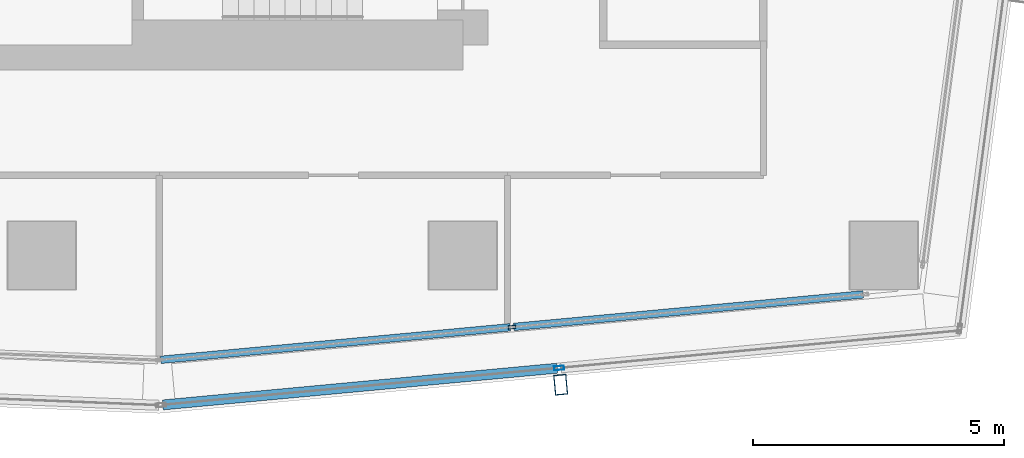
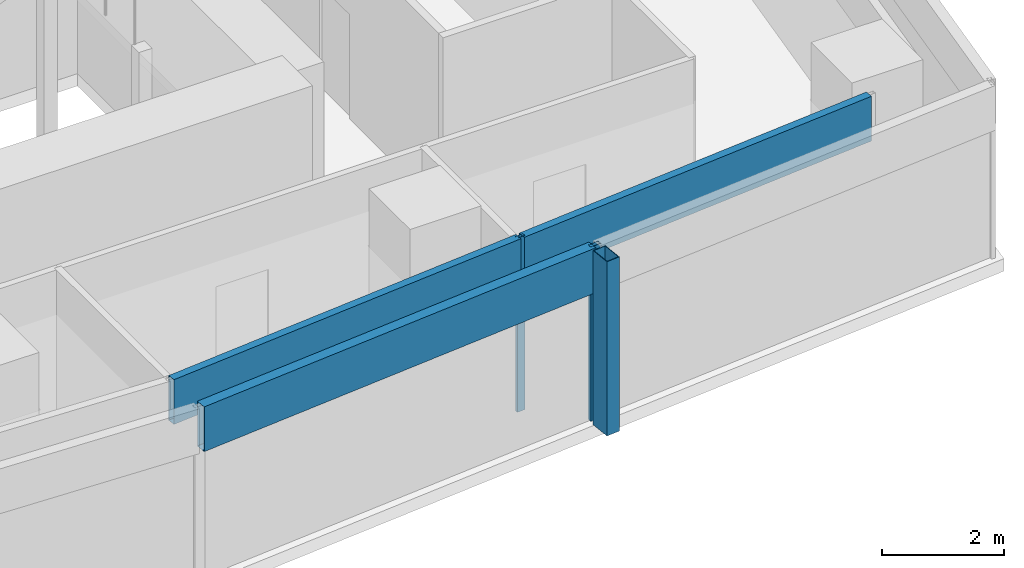
# One storey, part 11 of 38: 6 members, 2 elements without a shape of their own.
"""IFC4 building model written with IfcOpenShell, lengths in metres."""

import ifcopenshell
import ifcopenshell.guid

model = None  # the IFC model being written
_history = None  # IfcOwnerHistory: only IFC2X3 demands one
_inside = {}  # id of a spatial element -> (the spatial element, [elements in it])
_under = {}  # id of a project, library or spatial element -> (it, [spatial elements below it])
_declared = {}  # id of a project -> (the project, [libraries it declares])
_typed = {}  # id of a type object -> (the type object, [elements of that type])
_made_of = {}  # id of a material, layer set ... -> (it, [elements and type objects made of it])


def new_model(schema):
    """Start an empty IFC model of exactly this schema.

    Asked for "IFC4X3", IfcOpenShell would pick the latest addendum, in which some entities
    have other attributes; the version numbers below select the first issue.
    IFC2X3 requires an IfcOwnerHistory on every rooted entity: one is made here for all.
    """
    global model, _history
    if schema == "IFC4X3":
        model = ifcopenshell.file(schema_version=(4, 3, 0, 0))
    else:
        model = ifcopenshell.file(schema=schema)
    _inside.clear()
    _under.clear()
    _declared.clear()
    _typed.clear()
    _made_of.clear()
    _history = None
    if model.schema == "IFC2X3":
        org = make("IfcOrganization", Name="unknown")
        user = make(
            "IfcPersonAndOrganization",
            ThePerson=make("IfcPerson", FamilyName="unknown"),
            TheOrganization=org,
        )
        app = make(
            "IfcApplication",
            ApplicationDeveloper=org,
            Version="unknown",
            ApplicationFullName="unknown",
            ApplicationIdentifier="unknown",
        )
        _history = make(
            "IfcOwnerHistory",
            OwningUser=user,
            OwningApplication=app,
            ChangeAction="ADDED",
            CreationDate=0,
        )
    return model


def make(cls, **values):
    """One entity of the class cls with the attributes given. An attribute that is None is left unset."""
    return model.create_entity(
        cls, **{name: value for name, value in values.items() if value is not None}
    )


def rooted(cls, **values):
    """An entity with a GlobalId (a new one), such as an element, a storey or a relation."""
    return make(cls, GlobalId=ifcopenshell.guid.new(), OwnerHistory=_history, **values)


def si_unit(unit_type, name, prefix=None):
    """IfcSIUnit, for example si_unit("LENGTHUNIT", "METRE", prefix="MILLI")."""
    return make("IfcSIUnit", UnitType=unit_type, Prefix=prefix, Name=name)


def assignment(units):
    """IfcUnitAssignment: the units of a project."""
    return None if units is None else make("IfcUnitAssignment", Units=units)


def point(xyz):
    """IfcCartesianPoint."""
    return None if xyz is None else make("IfcCartesianPoint", Coordinates=xyz)


def direction(xyz):
    """IfcDirection."""
    return None if xyz is None else make("IfcDirection", DirectionRatios=xyz)


def frame(location, z_axis=None, x_axis=None):
    """IfcAxis2Placement3D, a coordinate frame: its origin and axes. An axis left out is left unset."""
    return make(
        "IfcAxis2Placement3D",
        Location=point(location),
        Axis=direction(z_axis),
        RefDirection=direction(x_axis),
    )


def frame_2d(location, x_axis=None):
    """IfcAxis2Placement2D, a coordinate frame in the plane: its origin and x axis."""
    return make(
        "IfcAxis2Placement2D", Location=point(location), RefDirection=direction(x_axis)
    )


def origin():
    """The frame at (0, 0, 0) with its axes left unset."""
    return frame((0.0, 0.0, 0.0))


def origin_2d():
    """The frame at (0, 0) in the plane with its x axis left unset."""
    return frame_2d((0.0, 0.0))


def place(relative_to, where):
    """IfcLocalPlacement: puts the frame where relative to a parent placement (None: the world)."""
    return make(
        "IfcLocalPlacement", PlacementRelTo=relative_to, RelativePlacement=where
    )


def context(
    kind, dimensions, precision=None, world=None, true_north=None, identifier=None
):
    """IfcGeometricRepresentationContext, for example the 3D "Model" context."""
    return make(
        "IfcGeometricRepresentationContext",
        ContextIdentifier=identifier,
        ContextType=kind,
        CoordinateSpaceDimension=dimensions,
        Precision=precision,
        WorldCoordinateSystem=world,
        TrueNorth=true_north,
    )


def subcontext(parent, identifier, kind, view, scale=None):
    """IfcGeometricRepresentationSubContext, for example "Body" below "Model"."""
    return make(
        "IfcGeometricRepresentationSubContext",
        ContextIdentifier=identifier,
        ContextType=kind,
        ParentContext=parent,
        TargetScale=scale,
        TargetView=view,
    )


def project(units=None, contexts=None):
    """IfcProject with its units and contexts."""
    return rooted(
        "IfcProject",
        Name="project",
        RepresentationContexts=contexts,
        UnitsInContext=assignment(units),
    )


def spatial(cls, under=None, at=None, **own):
    """A site, building, storey or space (cls), placed at a placement, below another one or the project."""
    s = rooted(cls, ObjectPlacement=at, **own)
    if under is not None:
        _under.setdefault(under.id(), (under, []))[1].append(s)
    return s


def profile(cls, at=None, kind="AREA", **sizes):
    """A parametric profile (cls). Its sizes go by their IFC names, for example OverallWidth=200.0."""
    return make(cls, ProfileType=kind, Position=at, **sizes)


def hollow_rectangle(**sizes):
    """IfcRectangleHollowProfileDef."""
    return profile("IfcRectangleHollowProfileDef", **sizes)


def extrude(swept, where, along, depth):
    """IfcExtrudedAreaSolid: the profile swept, set in the frame where, extruded along a direction by depth."""
    return make(
        "IfcExtrudedAreaSolid",
        SweptArea=swept,
        Position=where,
        ExtrudedDirection=direction(along),
        Depth=depth,
    )


def shape(context_of_items, identifier, shape_type, items):
    """IfcShapeRepresentation: the items that make up one representation, for example the "Body"."""
    return make(
        "IfcShapeRepresentation",
        ContextOfItems=context_of_items,
        RepresentationIdentifier=identifier,
        RepresentationType=shape_type,
        Items=items,
    )


def material(Name=None, Category=None):
    """IfcMaterial."""
    return make("IfcMaterial", Name=Name, Category=Category)


def material_profile(
    of_material, cross_section, Name=None, Category=None, Priority=None
):
    """IfcMaterialProfile: a cross section and its material."""
    return make(
        "IfcMaterialProfile",
        Name=Name,
        Material=of_material,
        Profile=cross_section,
        Priority=Priority,
        Category=Category,
    )


def profile_set(profiles, Name=None, composite=None):
    """IfcMaterialProfileSet."""
    return make(
        "IfcMaterialProfileSet",
        Name=Name,
        MaterialProfiles=profiles,
        CompositeProfile=composite,
    )


def made_of(thing, what):
    """Note that an element or type object is made of a material, layer set ...; save() writes the relation."""
    if what is not None:
        _made_of.setdefault(what.id(), (what, []))[1].append(thing)
    return thing


def type_object(cls, material=None, **own):
    """A type object (cls), such as IfcWallType, which elements share."""
    return made_of(rooted(cls, **own), material)


def element(
    cls,
    number,
    at=None,
    inside=None,
    cuts=None,
    type_object=None,
    material=None,
    context=None,
    identifier="Body",
    shape_type=None,
    held_by="IfcProductDefinitionShape",
    body=None,
    shapes=None,
    **own,
):
    """One element of the class cls, such as IfcWall. Its Tag is "e" and its number.

    at: its placement. inside: the storey or other place that contains it. cuts: it is an
    opening in that element (IfcRelVoidsElement). A single representation is given by context,
    identifier, shape_type and body (its items); several are given by shapes. held_by: the class
    of the entity that holds the representations. save() writes the other relations.
    """
    e = rooted(cls, Tag="e%d" % number, ObjectPlacement=at, **own)
    if body is not None:
        shapes = [shape(context, identifier, shape_type, body)]
    if shapes is not None:
        e.Representation = make(held_by, Representations=shapes)
    if inside is not None:
        _inside.setdefault(inside.id(), (inside, []))[1].append(e)
    if cuts is not None:
        rooted(
            "IfcRelVoidsElement", RelatingBuildingElement=cuts, RelatedOpeningElement=e
        )
    if type_object is not None:
        _typed.setdefault(type_object.id(), (type_object, []))[1].append(e)
    return made_of(e, material)


def aggregate(whole, parts):
    """IfcRelAggregates: a whole, such as a stair, and the parts it consists of."""
    return rooted("IfcRelAggregates", RelatingObject=whole, RelatedObjects=parts)


def save(model, path):
    """Write the relations noted so far, then the file.

    IfcRelAggregates (storeys below a building ...), IfcRelContainedInSpatialStructure (elements
    in a storey), IfcRelDefinesByType, IfcRelAssociatesMaterial and IfcRelDeclares: one each for
    every whole, place, type object, material and project.
    """
    for whole, parts in _under.values():
        aggregate(whole, parts)
    for where, things in _inside.values():
        rooted(
            "IfcRelContainedInSpatialStructure",
            RelatedElements=things,
            RelatingStructure=where,
        )
    for kind, things in _typed.values():
        rooted("IfcRelDefinesByType", RelatedObjects=things, RelatingType=kind)
    for what, things in _made_of.values():
        rooted("IfcRelAssociatesMaterial", RelatedObjects=things, RelatingMaterial=what)
    for by, libraries in _declared.values():
        rooted("IfcRelDeclares", RelatingContext=by, RelatedDefinitions=libraries)
    model.write(path)


model = new_model("IFC4")

# Units and contexts
model_context = context("Model", 3, precision=1e-05, world=origin(), true_north=direction((0.0, 1.0)))
body_context = subcontext(model_context, "Body", "Model", "MODEL_VIEW")
ifc_project = project(units=[si_unit("LENGTHUNIT", "METRE"), si_unit("AREAUNIT", "SQUARE_METRE"), si_unit("VOLUMEUNIT", "CUBIC_METRE"), si_unit("PLANEANGLEUNIT", "RADIAN"), si_unit("MASSUNIT", "GRAM", prefix="KILO")], contexts=[model_context])

# Site, building, storey
site_placement = place(None, origin())
site = spatial("IfcSite", under=ifc_project, at=site_placement, CompositionType="ELEMENT")
building_placement = place(site_placement, origin())
building = spatial("IfcBuilding", under=site, at=building_placement, Name="Rekha Terrace Tower", CompositionType="ELEMENT")
storey_placement = place(building_placement, frame((0.0, 0.0, 195.199951171875)))
storey = spatial("IfcBuildingStorey", under=building, at=storey_placement, Name="L49", CompositionType="ELEMENT", Elevation=195.199951171875)

# Curtain wall, member
ifc_material_1 = material(Name="Aluminium framing", Category="aluminium")
curtain_wall_type_1 = type_object("IfcCurtainWallType", Name="CW2 double skin outer glazing", PredefinedType="USERDEFINED", material=ifc_material_1)
curtain_wall_1_placement = place(storey_placement, origin())
curtain_wall_1 = element("IfcCurtainWall", 1, at=curtain_wall_1_placement, inside=storey, type_object=curtain_wall_type_1, Name="CW2 double skin outer glazing", ObjectType="DOUBLE SKIN OUTER GLAZING", PredefinedType="USERDEFINED")
ifc_material_2 = material(Name="Steel S355 with fluorocarbon finish", Category="steel")
ifc_material_profile_1 = material_profile(ifc_material_2, hollow_rectangle(XDim=0.25, YDim=0.39990234375, WallThickness=0.012451171875, at=origin_2d()), Name="RHS400x250x12.5")
ifc_profile_set_1 = profile_set([ifc_material_profile_1], Name="Steel S355 with fluorocarbon finish")
member_type_1 = type_object("IfcMemberType", Name="BL1 facade blade RHS 400 x 250", PredefinedType="USERDEFINED", material=ifc_profile_set_1)
member_1_placement = place(storey_placement, frame((52.35302734375, 14.22021484375, 0.0), z_axis=(0.0, 0.0, 1.0), x_axis=(0.995693203185, 0.092709466242, 0.0)))
member_1 = element("IfcMember", 2, at=member_1_placement, type_object=member_type_1, Name="Facade blade", ObjectType="FACADE BLADE", PredefinedType="USERDEFINED", context=body_context, shape_type="SweptSolid", body=[
    extrude(hollow_rectangle(XDim=0.25, YDim=0.39990234375, WallThickness=0.012451171875, at=origin_2d()), origin(), (0.0, 0.0, 1.0), 3.5),
])

# Curtain wall, members
curtain_wall_type_2 = type_object("IfcCurtainWallType", Name="CW1 double skin inner glazing", PredefinedType="USERDEFINED", material=ifc_material_1)
curtain_wall_2_placement = place(storey_placement, origin())
curtain_wall_2 = element("IfcCurtainWall", 3, at=curtain_wall_2_placement, inside=storey, type_object=curtain_wall_type_2, Name="CW1 double skin inner glazing", ObjectType="DOUBLE SKIN INNER GLAZING", PredefinedType="USERDEFINED")
ifc_material_3 = material(Name="Aluminium mullion section", Category="aluminium")
ifc_material_profile_2 = material_profile(ifc_material_3, hollow_rectangle(XDim=0.06494140625, YDim=0.14990234375, WallThickness=0.00390625, at=origin_2d()), Name="AL RHS 65x150")
ifc_profile_set_2 = profile_set([ifc_material_profile_2], Name="Aluminium mullion section")
member_type_2 = type_object("IfcMemberType", Name="CW1 mullion RHS 65 x 150", PredefinedType="MULLION", material=ifc_profile_set_2)
member_2_placement = place(storey_placement, frame((51.3818359375, 15.370361328125, 0.0), z_axis=(0.0, 0.0, 1.0), x_axis=(-0.092708869564, 0.995693258742, 0.0)))
member_2 = element("IfcMember", 4, at=member_2_placement, type_object=member_type_2, Name="CW1 mullion 2", PredefinedType="MULLION", context=body_context, shape_type="SweptSolid", body=[
    extrude(hollow_rectangle(XDim=0.06494140625, YDim=0.14990234375, WallThickness=0.00390625, at=origin_2d()), origin(), (0.0, 0.0, 1.0), 3.5),
])
ifc_material_4 = material(Name="Insulated aluminium spandrel box", Category="aluminium")
ifc_material_profile_3 = material_profile(ifc_material_4, hollow_rectangle(XDim=0.14990234375, YDim=0.89990234375, WallThickness=0.0029296875, at=origin_2d()), Name="AL SPANDREL BOX 150x900")
ifc_profile_set_3 = profile_set([ifc_material_profile_3], Name="Insulated aluminium spandrel box")
member_type_3 = type_object("IfcMemberType", Name="CW1 spandrel transom 150 x 900", PredefinedType="USERDEFINED", material=ifc_profile_set_3)
member_3_placement = place(storey_placement, frame((44.376708984375, 14.718017578125, 3.050048828125), z_axis=(0.995694259474, 0.092698121072, 0.0), x_axis=(-0.092698121072, 0.995694259474, 0.0)))
member_3 = element("IfcMember", 5, at=member_3_placement, type_object=member_type_3, Name="CW1 spandrel transom 1", ObjectType="TRANSOM", PredefinedType="USERDEFINED", context=body_context, shape_type="SweptSolid", body=[
    extrude(hollow_rectangle(XDim=0.14990234375, YDim=0.89990234375, WallThickness=0.0029296875, at=origin_2d()), origin(), (0.0, 0.0, 1.0), 7.003173828125),
])
member_4_placement = place(storey_placement, frame((51.414306640625, 15.373291015625, 3.050048828125), z_axis=(0.995694259474, 0.092698121072, 0.0), x_axis=(-0.092698121072, 0.995694259474, 0.0)))
member_4 = element("IfcMember", 6, at=member_4_placement, type_object=member_type_3, Name="CW1 spandrel transom 2", ObjectType="TRANSOM", PredefinedType="USERDEFINED", context=body_context, shape_type="SweptSolid", body=[
    extrude(hollow_rectangle(XDim=0.14990234375, YDim=0.89990234375, WallThickness=0.0029296875, at=origin_2d()), origin(), (0.0, 0.0, 1.0), 7.003173828125),
])
aggregate(curtain_wall_2, [member_2, member_3, member_4])

# Member
ifc_material_profile_4 = material_profile(ifc_material_3, hollow_rectangle(XDim=0.080078125, YDim=0.199951171875, WallThickness=0.00390625, at=origin_2d()), Name="AL RHS 80x200")
ifc_profile_set_4 = profile_set([ifc_material_profile_4], Name="Aluminium mullion section")
member_type_4 = type_object("IfcMemberType", Name="CW2 mullion RHS 80 x 200", PredefinedType="MULLION", material=ifc_profile_set_4)
member_5_placement = place(storey_placement, frame((52.322021484375, 14.553955078125, 0.0), z_axis=(0.0, 0.0, 1.0), x_axis=(-0.092708869512, 0.995693258747, 0.0)))
member_5 = element("IfcMember", 7, at=member_5_placement, type_object=member_type_4, Name="CW2 mullion 2", PredefinedType="MULLION", context=body_context, shape_type="SweptSolid", body=[
    extrude(hollow_rectangle(XDim=0.080078125, YDim=0.199951171875, WallThickness=0.00390625, at=origin_2d()), origin(), (0.0, 0.0, 1.0), 3.5),
])

ifc_material_profile_5 = material_profile(ifc_material_4, hollow_rectangle(XDim=0.199951171875, YDim=0.89990234375, WallThickness=0.0029296875, at=origin_2d()), Name="AL SPANDREL BOX 200x900")
ifc_profile_set_5 = profile_set([ifc_material_profile_5], Name="Insulated aluminium spandrel box")
member_type_5 = type_object("IfcMemberType", Name="CW2 spandrel transom 200 x 900", PredefinedType="USERDEFINED", material=ifc_profile_set_5)
member_6_placement = place(storey_placement, frame((44.41552734375, 13.817626953125, 3.050048828125), z_axis=(0.995690937161, 0.092733799963, 0.0), x_axis=(-0.092733799963, 0.995690937161, 0.0)))
member_6 = element("IfcMember", 8, at=member_6_placement, type_object=member_type_5, Name="CW2 spandrel transom 1", ObjectType="TRANSOM", PredefinedType="USERDEFINED", context=body_context, shape_type="SweptSolid", body=[
    extrude(hollow_rectangle(XDim=0.199951171875, YDim=0.89990234375, WallThickness=0.0029296875, at=origin_2d()), origin(), (0.0, 0.0, 1.0), 7.900634765625),
])

aggregate(curtain_wall_1, [member_5, member_6, member_1])

save(model, "model.ifc")
